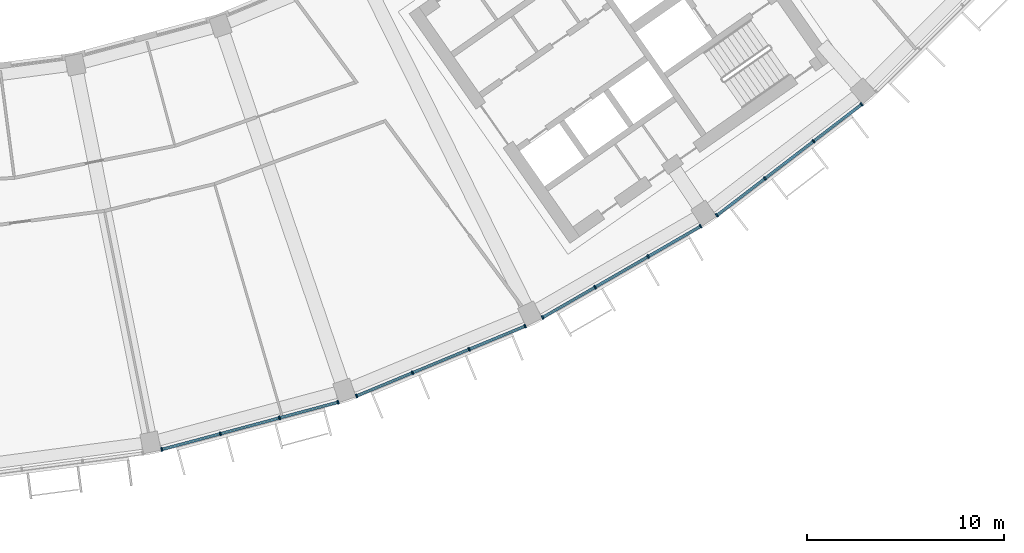
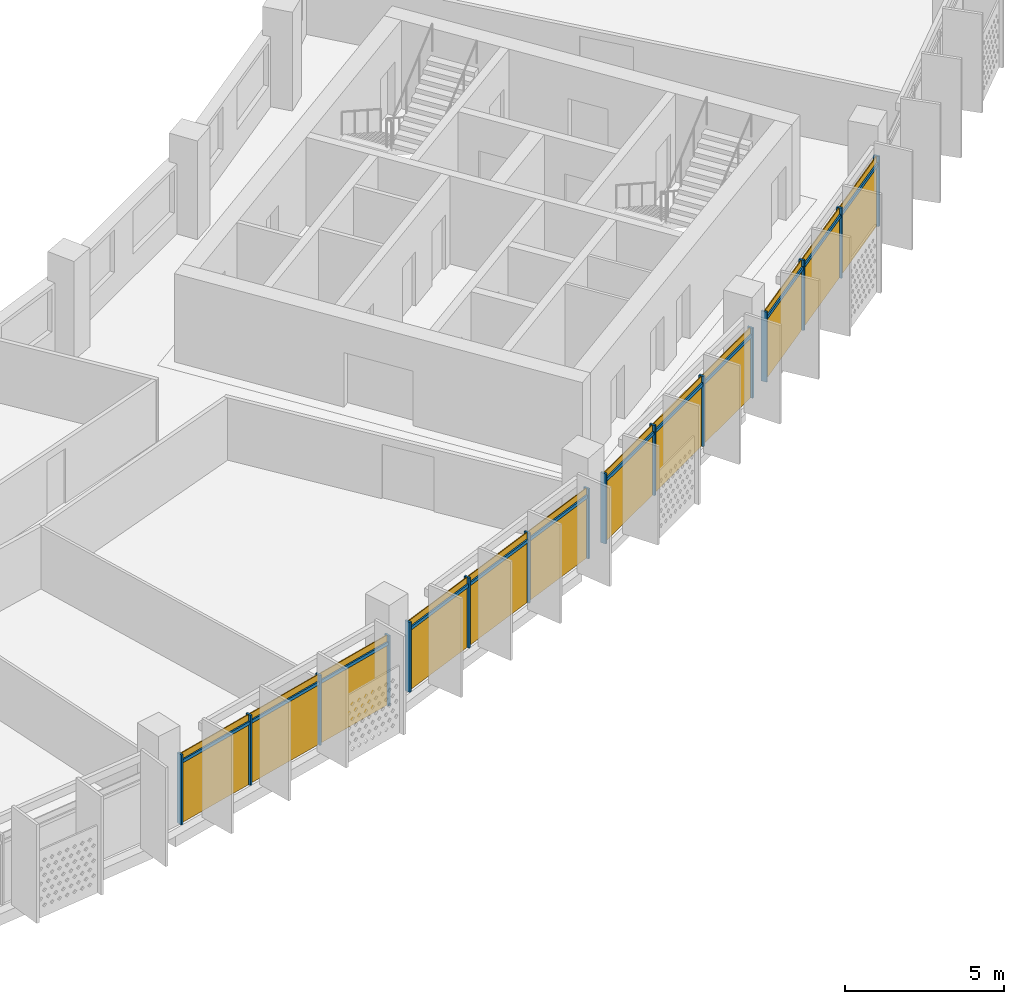
# One storey, part 20 of 27: 28 members, 4 curtain walls.
"""IFC4 building model written with IfcOpenShell, lengths in metres."""

import ifcopenshell
import ifcopenshell.guid

model = None  # the IFC model being written
_history = None  # IfcOwnerHistory: only IFC2X3 demands one
_inside = {}  # id of a spatial element -> (the spatial element, [elements in it])
_under = {}  # id of a project, library or spatial element -> (it, [spatial elements below it])
_declared = {}  # id of a project -> (the project, [libraries it declares])
_typed = {}  # id of a type object -> (the type object, [elements of that type])
_made_of = {}  # id of a material, layer set ... -> (it, [elements and type objects made of it])


def new_model(schema):
    """Start an empty IFC model of exactly this schema.

    Asked for "IFC4X3", IfcOpenShell would pick the latest addendum, in which some entities
    have other attributes; the version numbers below select the first issue.
    IFC2X3 requires an IfcOwnerHistory on every rooted entity: one is made here for all.
    """
    global model, _history
    if schema == "IFC4X3":
        model = ifcopenshell.file(schema_version=(4, 3, 0, 0))
    else:
        model = ifcopenshell.file(schema=schema)
    _inside.clear()
    _under.clear()
    _declared.clear()
    _typed.clear()
    _made_of.clear()
    _history = None
    if model.schema == "IFC2X3":
        org = make("IfcOrganization", Name="unknown")
        user = make(
            "IfcPersonAndOrganization",
            ThePerson=make("IfcPerson", FamilyName="unknown"),
            TheOrganization=org,
        )
        app = make(
            "IfcApplication",
            ApplicationDeveloper=org,
            Version="unknown",
            ApplicationFullName="unknown",
            ApplicationIdentifier="unknown",
        )
        _history = make(
            "IfcOwnerHistory",
            OwningUser=user,
            OwningApplication=app,
            ChangeAction="ADDED",
            CreationDate=0,
        )
    return model


def make(cls, **values):
    """One entity of the class cls with the attributes given. An attribute that is None is left unset."""
    return model.create_entity(
        cls, **{name: value for name, value in values.items() if value is not None}
    )


def rooted(cls, **values):
    """An entity with a GlobalId (a new one), such as an element, a storey or a relation."""
    return make(cls, GlobalId=ifcopenshell.guid.new(), OwnerHistory=_history, **values)


def si_unit(unit_type, name, prefix=None):
    """IfcSIUnit, for example si_unit("LENGTHUNIT", "METRE", prefix="MILLI")."""
    return make("IfcSIUnit", UnitType=unit_type, Prefix=prefix, Name=name)


def assignment(units):
    """IfcUnitAssignment: the units of a project."""
    return None if units is None else make("IfcUnitAssignment", Units=units)


def point(xyz):
    """IfcCartesianPoint."""
    return None if xyz is None else make("IfcCartesianPoint", Coordinates=xyz)


def direction(xyz):
    """IfcDirection."""
    return None if xyz is None else make("IfcDirection", DirectionRatios=xyz)


def frame(location, z_axis=None, x_axis=None):
    """IfcAxis2Placement3D, a coordinate frame: its origin and axes. An axis left out is left unset."""
    return make(
        "IfcAxis2Placement3D",
        Location=point(location),
        Axis=direction(z_axis),
        RefDirection=direction(x_axis),
    )


def frame_2d(location, x_axis=None):
    """IfcAxis2Placement2D, a coordinate frame in the plane: its origin and x axis."""
    return make(
        "IfcAxis2Placement2D", Location=point(location), RefDirection=direction(x_axis)
    )


def origin():
    """The frame at (0, 0, 0) with its axes left unset."""
    return frame((0.0, 0.0, 0.0))


def origin_2d():
    """The frame at (0, 0) in the plane with its x axis left unset."""
    return frame_2d((0.0, 0.0))


def place(relative_to, where):
    """IfcLocalPlacement: puts the frame where relative to a parent placement (None: the world)."""
    return make(
        "IfcLocalPlacement", PlacementRelTo=relative_to, RelativePlacement=where
    )


def context(
    kind, dimensions, precision=None, world=None, true_north=None, identifier=None
):
    """IfcGeometricRepresentationContext, for example the 3D "Model" context."""
    return make(
        "IfcGeometricRepresentationContext",
        ContextIdentifier=identifier,
        ContextType=kind,
        CoordinateSpaceDimension=dimensions,
        Precision=precision,
        WorldCoordinateSystem=world,
        TrueNorth=true_north,
    )


def subcontext(parent, identifier, kind, view, scale=None):
    """IfcGeometricRepresentationSubContext, for example "Body" below "Model"."""
    return make(
        "IfcGeometricRepresentationSubContext",
        ContextIdentifier=identifier,
        ContextType=kind,
        ParentContext=parent,
        TargetScale=scale,
        TargetView=view,
    )


def project(units=None, contexts=None):
    """IfcProject with its units and contexts."""
    return rooted(
        "IfcProject",
        Name="project",
        RepresentationContexts=contexts,
        UnitsInContext=assignment(units),
    )


def spatial(cls, under=None, at=None, **own):
    """A site, building, storey or space (cls), placed at a placement, below another one or the project."""
    s = rooted(cls, ObjectPlacement=at, **own)
    if under is not None:
        _under.setdefault(under.id(), (under, []))[1].append(s)
    return s


def profile(cls, at=None, kind="AREA", **sizes):
    """A parametric profile (cls). Its sizes go by their IFC names, for example OverallWidth=200.0."""
    return make(cls, ProfileType=kind, Position=at, **sizes)


def rectangle(**sizes):
    """IfcRectangleProfileDef."""
    return profile("IfcRectangleProfileDef", **sizes)


def extrude(swept, where, along, depth):
    """IfcExtrudedAreaSolid: the profile swept, set in the frame where, extruded along a direction by depth."""
    return make(
        "IfcExtrudedAreaSolid",
        SweptArea=swept,
        Position=where,
        ExtrudedDirection=direction(along),
        Depth=depth,
    )


def shape(context_of_items, identifier, shape_type, items):
    """IfcShapeRepresentation: the items that make up one representation, for example the "Body"."""
    return make(
        "IfcShapeRepresentation",
        ContextOfItems=context_of_items,
        RepresentationIdentifier=identifier,
        RepresentationType=shape_type,
        Items=items,
    )


def material(Name=None, Category=None):
    """IfcMaterial."""
    return make("IfcMaterial", Name=Name, Category=Category)


def material_profile(
    of_material, cross_section, Name=None, Category=None, Priority=None
):
    """IfcMaterialProfile: a cross section and its material."""
    return make(
        "IfcMaterialProfile",
        Name=Name,
        Material=of_material,
        Profile=cross_section,
        Priority=Priority,
        Category=Category,
    )


def profile_set(profiles, Name=None, composite=None):
    """IfcMaterialProfileSet."""
    return make(
        "IfcMaterialProfileSet",
        Name=Name,
        MaterialProfiles=profiles,
        CompositeProfile=composite,
    )


def made_of(thing, what):
    """Note that an element or type object is made of a material, layer set ...; save() writes the relation."""
    if what is not None:
        _made_of.setdefault(what.id(), (what, []))[1].append(thing)
    return thing


def type_object(cls, material=None, **own):
    """A type object (cls), such as IfcWallType, which elements share."""
    return made_of(rooted(cls, **own), material)


def element(
    cls,
    number,
    at=None,
    inside=None,
    cuts=None,
    type_object=None,
    material=None,
    context=None,
    identifier="Body",
    shape_type=None,
    held_by="IfcProductDefinitionShape",
    body=None,
    shapes=None,
    **own,
):
    """One element of the class cls, such as IfcWall. Its Tag is "e" and its number.

    at: its placement. inside: the storey or other place that contains it. cuts: it is an
    opening in that element (IfcRelVoidsElement). A single representation is given by context,
    identifier, shape_type and body (its items); several are given by shapes. held_by: the class
    of the entity that holds the representations. save() writes the other relations.
    """
    e = rooted(cls, Tag="e%d" % number, ObjectPlacement=at, **own)
    if body is not None:
        shapes = [shape(context, identifier, shape_type, body)]
    if shapes is not None:
        e.Representation = make(held_by, Representations=shapes)
    if inside is not None:
        _inside.setdefault(inside.id(), (inside, []))[1].append(e)
    if cuts is not None:
        rooted(
            "IfcRelVoidsElement", RelatingBuildingElement=cuts, RelatedOpeningElement=e
        )
    if type_object is not None:
        _typed.setdefault(type_object.id(), (type_object, []))[1].append(e)
    return made_of(e, material)


def aggregate(whole, parts):
    """IfcRelAggregates: a whole, such as a stair, and the parts it consists of."""
    return rooted("IfcRelAggregates", RelatingObject=whole, RelatedObjects=parts)


def save(model, path):
    """Write the relations noted so far, then the file.

    IfcRelAggregates (storeys below a building ...), IfcRelContainedInSpatialStructure (elements
    in a storey), IfcRelDefinesByType, IfcRelAssociatesMaterial and IfcRelDeclares: one each for
    every whole, place, type object, material and project.
    """
    for whole, parts in _under.values():
        aggregate(whole, parts)
    for where, things in _inside.values():
        rooted(
            "IfcRelContainedInSpatialStructure",
            RelatedElements=things,
            RelatingStructure=where,
        )
    for kind, things in _typed.values():
        rooted("IfcRelDefinesByType", RelatedObjects=things, RelatingType=kind)
    for what, things in _made_of.values():
        rooted("IfcRelAssociatesMaterial", RelatedObjects=things, RelatingMaterial=what)
    for by, libraries in _declared.values():
        rooted("IfcRelDeclares", RelatingContext=by, RelatedDefinitions=libraries)
    model.write(path)


model = new_model("IFC4")

# Units and contexts
model_context = context("Model", 3, precision=1e-05, world=origin(), true_north=direction((0.0, 1.0)))
body_context = subcontext(model_context, "Body", "Model", "MODEL_VIEW")
ifc_project = project(units=[si_unit("LENGTHUNIT", "METRE"), si_unit("AREAUNIT", "SQUARE_METRE"), si_unit("VOLUMEUNIT", "CUBIC_METRE"), si_unit("PLANEANGLEUNIT", "RADIAN"), si_unit("MASSUNIT", "GRAM", prefix="KILO")], contexts=[model_context])

# Member
ifc_material = material(Name="Aluminium 6063-T6 anodised", Category="aluminium")
ifc_material_profile_1 = material_profile(ifc_material, rectangle(XDim=0.199951171875, YDim=0.070068359375, at=origin_2d()))
ifc_profile_set_1 = profile_set([ifc_material_profile_1], Name="Aluminium 6063-T6 anodised")
member_type_1 = type_object("IfcMemberType", Name="Mullion 70 x 200 aluminium", PredefinedType="MULLION", material=ifc_profile_set_1)
site_placement = place(None, origin())
building_placement = place(site_placement, origin())
storey_placement = place(building_placement, frame((0.0, 0.0, 280.89990234375)))
member_1_placement = place(storey_placement, frame((15.742431640625, -76.618408203125, 0.0), z_axis=(0.0, 0.0, 1.0), x_axis=(-0.258819045103, 0.965925826289, 0.0)))
member_1 = element("IfcMember", 1, at=member_1_placement, type_object=member_type_1, Name="e-cw1-L68-out09/M00", PredefinedType="MULLION", context=body_context, shape_type="SweptSolid", body=[
    extrude(rectangle(XDim=0.199951171875, YDim=0.070068359375, at=origin_2d()), origin(), (0.0, 0.0, 1.0), 2.7001953125),
])

member_2_placement = place(storey_placement, frame((18.708984375, -75.82373046875, 0.0), z_axis=(0.0, 0.0, 1.0), x_axis=(-0.258819045103, 0.965925826289, 0.0)))
member_2 = element("IfcMember", 2, at=member_2_placement, type_object=member_type_1, Name="e-cw1-L68-out09/M01", PredefinedType="MULLION", context=body_context, shape_type="SweptSolid", body=[
    extrude(rectangle(XDim=0.199951171875, YDim=0.070068359375, at=origin_2d()), origin(), (0.0, 0.0, 1.0), 2.7001953125),
])

member_3_placement = place(storey_placement, frame((21.70947265625, -75.019775390625, 0.0), z_axis=(0.0, 0.0, 1.0), x_axis=(-0.258819045103, 0.965925826289, 0.0)))
member_3 = element("IfcMember", 3, at=member_3_placement, type_object=member_type_1, Name="e-cw1-L68-out09/M02", PredefinedType="MULLION", context=body_context, shape_type="SweptSolid", body=[
    extrude(rectangle(XDim=0.199951171875, YDim=0.070068359375, at=origin_2d()), origin(), (0.0, 0.0, 1.0), 2.7001953125),
])

member_4_placement = place(storey_placement, frame((24.676025390625, -74.224853515625, 0.0), z_axis=(0.0, 0.0, 1.0), x_axis=(-0.258819045103, 0.965925826289, 0.0)))
member_4 = element("IfcMember", 4, at=member_4_placement, type_object=member_type_1, Name="e-cw1-L68-out09/M03", PredefinedType="MULLION", context=body_context, shape_type="SweptSolid", body=[
    extrude(rectangle(XDim=0.199951171875, YDim=0.070068359375, at=origin_2d()), origin(), (0.0, 0.0, 1.0), 2.7001953125),
])

member_5_placement = place(storey_placement, frame((25.6083984375, -73.908203125, 0.0), z_axis=(0.0, 0.0, 1.0), x_axis=(-0.382683432365, 0.923879532511, 0.0)))
member_5 = element("IfcMember", 5, at=member_5_placement, type_object=member_type_1, Name="e-cw1-L68-out10/M00", PredefinedType="MULLION", context=body_context, shape_type="SweptSolid", body=[
    extrude(rectangle(XDim=0.199951171875, YDim=0.070068359375, at=origin_2d()), origin(), (0.0, 0.0, 1.0), 2.7001953125),
])

member_6_placement = place(storey_placement, frame((28.44580078125, -72.73291015625, 0.0), z_axis=(0.0, 0.0, 1.0), x_axis=(-0.382683432365, 0.923879532511, 0.0)))
member_6 = element("IfcMember", 6, at=member_6_placement, type_object=member_type_1, Name="e-cw1-L68-out10/M01", PredefinedType="MULLION", context=body_context, shape_type="SweptSolid", body=[
    extrude(rectangle(XDim=0.199951171875, YDim=0.070068359375, at=origin_2d()), origin(), (0.0, 0.0, 1.0), 2.7001953125),
])

member_7_placement = place(storey_placement, frame((31.315673828125, -71.544189453125, 0.0), z_axis=(0.0, 0.0, 1.0), x_axis=(-0.382683432365, 0.923879532511, 0.0)))
member_7 = element("IfcMember", 7, at=member_7_placement, type_object=member_type_1, Name="e-cw1-L68-out10/M02", PredefinedType="MULLION", context=body_context, shape_type="SweptSolid", body=[
    extrude(rectangle(XDim=0.199951171875, YDim=0.070068359375, at=origin_2d()), origin(), (0.0, 0.0, 1.0), 2.7001953125),
])

member_8_placement = place(storey_placement, frame((34.153076171875, -70.368896484375, 0.0), z_axis=(0.0, 0.0, 1.0), x_axis=(-0.382683432365, 0.923879532511, 0.0)))
member_8 = element("IfcMember", 8, at=member_8_placement, type_object=member_type_1, Name="e-cw1-L68-out10/M03", PredefinedType="MULLION", context=body_context, shape_type="SweptSolid", body=[
    extrude(rectangle(XDim=0.199951171875, YDim=0.070068359375, at=origin_2d()), origin(), (0.0, 0.0, 1.0), 2.7001953125),
])

member_9_placement = place(storey_placement, frame((35.036376953125, -69.933349609375, 0.0), z_axis=(0.0, 0.0, 1.0), x_axis=(-0.5, 0.866025403784, 0.0)))
member_9 = element("IfcMember", 9, at=member_9_placement, type_object=member_type_1, Name="e-cw1-L68-out11/M00", PredefinedType="MULLION", context=body_context, shape_type="SweptSolid", body=[
    extrude(rectangle(XDim=0.199951171875, YDim=0.070068359375, at=origin_2d()), origin(), (0.0, 0.0, 1.0), 2.7001953125),
])

member_10_placement = place(storey_placement, frame((37.696044921875, -68.397705078125, 0.0), z_axis=(0.0, 0.0, 1.0), x_axis=(-0.5, 0.866025403784, 0.0)))
member_10 = element("IfcMember", 10, at=member_10_placement, type_object=member_type_1, Name="e-cw1-L68-out11/M01", PredefinedType="MULLION", context=body_context, shape_type="SweptSolid", body=[
    extrude(rectangle(XDim=0.199951171875, YDim=0.070068359375, at=origin_2d()), origin(), (0.0, 0.0, 1.0), 2.7001953125),
])

member_11_placement = place(storey_placement, frame((40.38623046875, -66.8447265625, 0.0), z_axis=(0.0, 0.0, 1.0), x_axis=(-0.5, 0.866025403784, 0.0)))
member_11 = element("IfcMember", 11, at=member_11_placement, type_object=member_type_1, Name="e-cw1-L68-out11/M02", PredefinedType="MULLION", context=body_context, shape_type="SweptSolid", body=[
    extrude(rectangle(XDim=0.199951171875, YDim=0.070068359375, at=origin_2d()), origin(), (0.0, 0.0, 1.0), 2.7001953125),
])

member_12_placement = place(storey_placement, frame((43.0458984375, -65.30908203125, 0.0), z_axis=(0.0, 0.0, 1.0), x_axis=(-0.5, 0.866025403784, 0.0)))
member_12 = element("IfcMember", 12, at=member_12_placement, type_object=member_type_1, Name="e-cw1-L68-out11/M03", PredefinedType="MULLION", context=body_context, shape_type="SweptSolid", body=[
    extrude(rectangle(XDim=0.199951171875, YDim=0.070068359375, at=origin_2d()), origin(), (0.0, 0.0, 1.0), 2.7001953125),
])

member_13_placement = place(storey_placement, frame((43.86474609375, -64.761962890625, 0.0), z_axis=(0.0, 0.0, 1.0), x_axis=(-0.608761429009, 0.793353340291, 0.0)))
member_13 = element("IfcMember", 13, at=member_13_placement, type_object=member_type_1, Name="e-cw1-L68-out12/M00", PredefinedType="MULLION", context=body_context, shape_type="SweptSolid", body=[
    extrude(rectangle(XDim=0.199951171875, YDim=0.070068359375, at=origin_2d()), origin(), (0.0, 0.0, 1.0), 2.7001953125),
])

member_14_placement = place(storey_placement, frame((46.30126953125, -62.892333984375, 0.0), z_axis=(0.0, 0.0, 1.0), x_axis=(-0.608761429009, 0.793353340291, 0.0)))
member_14 = element("IfcMember", 14, at=member_14_placement, type_object=member_type_1, Name="e-cw1-L68-out12/M01", PredefinedType="MULLION", context=body_context, shape_type="SweptSolid", body=[
    extrude(rectangle(XDim=0.199951171875, YDim=0.070068359375, at=origin_2d()), origin(), (0.0, 0.0, 1.0), 2.7001953125),
])

member_15_placement = place(storey_placement, frame((48.765625, -61.001220703125, 0.0), z_axis=(0.0, 0.0, 1.0), x_axis=(-0.608761429009, 0.793353340291, 0.0)))
member_15 = element("IfcMember", 15, at=member_15_placement, type_object=member_type_1, Name="e-cw1-L68-out12/M02", PredefinedType="MULLION", context=body_context, shape_type="SweptSolid", body=[
    extrude(rectangle(XDim=0.199951171875, YDim=0.070068359375, at=origin_2d()), origin(), (0.0, 0.0, 1.0), 2.7001953125),
])

member_16_placement = place(storey_placement, frame((51.2021484375, -59.131591796875, 0.0), z_axis=(0.0, 0.0, 1.0), x_axis=(-0.608761429009, 0.793353340291, 0.0)))
member_16 = element("IfcMember", 16, at=member_16_placement, type_object=member_type_1, Name="e-cw1-L68-out12/M03", PredefinedType="MULLION", context=body_context, shape_type="SweptSolid", body=[
    extrude(rectangle(XDim=0.199951171875, YDim=0.070068359375, at=origin_2d()), origin(), (0.0, 0.0, 1.0), 2.7001953125),
])

ifc_material_profile_2 = material_profile(ifc_material, rectangle(XDim=0.139892578125, YDim=0.1201171875, at=origin_2d()))
ifc_profile_set_2 = profile_set([ifc_material_profile_2], Name="Aluminium 6063-T6 anodised")
member_type_2 = type_object("IfcMemberType", Name="Transom 120 x 140 aluminium", PredefinedType="USERDEFINED", material=ifc_profile_set_2)
member_17_placement = place(storey_placement, frame((15.776123046875, -76.609375, 2.400146484375), z_axis=(0.965944058071, 0.258750993577, 0.0), x_axis=(-0.258750993577, 0.965944058071, 0.0)))
member_17 = element("IfcMember", 17, at=member_17_placement, type_object=member_type_2, Name="e-cw1-L68-out09/T00", ObjectType="TRANSOM", PredefinedType="USERDEFINED", context=body_context, shape_type="SweptSolid", body=[
    extrude(rectangle(XDim=0.139892578125, YDim=0.1201171875, at=origin_2d()), origin(), (0.0, 0.0, 1.0), 3.00146484375),
])

member_18_placement = place(storey_placement, frame((18.74267578125, -75.814453125, 2.400146484375), z_axis=(0.965943386189, 0.258753501769, 0.0), x_axis=(-0.258753501769, 0.965943386189, 0.0)))
member_18 = element("IfcMember", 18, at=member_18_placement, type_object=member_type_2, Name="e-cw1-L68-out09/T01", ObjectType="TRANSOM", PredefinedType="USERDEFINED", context=body_context, shape_type="SweptSolid", body=[
    extrude(rectangle(XDim=0.139892578125, YDim=0.1201171875, at=origin_2d()), origin(), (0.0, 0.0, 1.0), 3.036376953125),
])

member_19_placement = place(storey_placement, frame((21.7431640625, -75.0107421875, 2.400146484375), z_axis=(0.965918275034, 0.258847225127, 0.0), x_axis=(-0.258847225127, 0.965918275034, 0.0)))
member_19 = element("IfcMember", 19, at=member_19_placement, type_object=member_type_2, Name="e-cw1-L68-out09/T02", ObjectType="TRANSOM", PredefinedType="USERDEFINED", context=body_context, shape_type="SweptSolid", body=[
    extrude(rectangle(XDim=0.139892578125, YDim=0.1201171875, at=origin_2d()), origin(), (0.0, 0.0, 1.0), 3.001220703125),
])

member_20_placement = place(storey_placement, frame((25.640869140625, -73.894775390625, 2.400146484375), z_axis=(0.923885958475, 0.382667918347, 0.0), x_axis=(-0.382667918347, 0.923885958475, 0.0)))
member_20 = element("IfcMember", 20, at=member_20_placement, type_object=member_type_2, Name="e-cw1-L68-out10/T00", ObjectType="TRANSOM", PredefinedType="USERDEFINED", context=body_context, shape_type="SweptSolid", body=[
    extrude(rectangle(XDim=0.139892578125, YDim=0.1201171875, at=origin_2d()), origin(), (0.0, 0.0, 1.0), 3.001220703125),
])

member_21_placement = place(storey_placement, frame((28.478271484375, -72.719482421875, 2.400146484375), z_axis=(0.923888454036, 0.38266189319, 0.0), x_axis=(-0.38266189319, 0.923888454036, 0.0)))
member_21 = element("IfcMember", 21, at=member_21_placement, type_object=member_type_2, Name="e-cw1-L68-out10/T01", ObjectType="TRANSOM", PredefinedType="USERDEFINED", context=body_context, shape_type="SweptSolid", body=[
    extrude(rectangle(XDim=0.139892578125, YDim=0.1201171875, at=origin_2d()), origin(), (0.0, 0.0, 1.0), 3.036376953125),
])

member_22_placement = place(storey_placement, frame((31.347900390625, -71.53076171875, 2.400146484375), z_axis=(0.923897869521, 0.382639159907, 0.0), x_axis=(-0.382639159907, 0.923897869521, 0.0)))
member_22 = element("IfcMember", 22, at=member_22_placement, type_object=member_type_2, Name="e-cw1-L68-out10/T02", ObjectType="TRANSOM", PredefinedType="USERDEFINED", context=body_context, shape_type="SweptSolid", body=[
    extrude(rectangle(XDim=0.139892578125, YDim=0.1201171875, at=origin_2d()), origin(), (0.0, 0.0, 1.0), 3.00146484375),
])

member_23_placement = place(storey_placement, frame((35.066650390625, -69.915771484375, 2.400146484375), z_axis=(0.866041993159, 0.49997126526, 0.0), x_axis=(-0.49997126526, 0.866041993159, 0.0)))
member_23 = element("IfcMember", 23, at=member_23_placement, type_object=member_type_2, Name="e-cw1-L68-out11/T00", ObjectType="TRANSOM", PredefinedType="USERDEFINED", context=body_context, shape_type="SweptSolid", body=[
    extrude(rectangle(XDim=0.139892578125, YDim=0.1201171875, at=origin_2d()), origin(), (0.0, 0.0, 1.0), 3.001220703125),
])

member_24_placement = place(storey_placement, frame((37.726318359375, -68.38037109375, 2.400146484375), z_axis=(0.866012861315, 0.500021723565, 0.0), x_axis=(-0.500021723565, 0.866012861315, 0.0)))
member_24 = element("IfcMember", 24, at=member_24_placement, type_object=member_type_2, Name="e-cw1-L68-out11/T01", ObjectType="TRANSOM", PredefinedType="USERDEFINED", context=body_context, shape_type="SweptSolid", body=[
    extrude(rectangle(XDim=0.139892578125, YDim=0.1201171875, at=origin_2d()), origin(), (0.0, 0.0, 1.0), 3.036376953125),
])

member_25_placement = place(storey_placement, frame((40.41650390625, -66.8271484375, 2.400146484375), z_axis=(0.866041993159, 0.49997126526, 0.0), x_axis=(-0.49997126526, 0.866041993159, 0.0)))
member_25 = element("IfcMember", 25, at=member_25_placement, type_object=member_type_2, Name="e-cw1-L68-out11/T02", ObjectType="TRANSOM", PredefinedType="USERDEFINED", context=body_context, shape_type="SweptSolid", body=[
    extrude(rectangle(XDim=0.139892578125, YDim=0.1201171875, at=origin_2d()), origin(), (0.0, 0.0, 1.0), 3.001220703125),
])

member_26_placement = place(storey_placement, frame((43.892578125, -64.74072265625, 2.400146484375), z_axis=(0.793312980955, 0.60881402271, 0.0), x_axis=(-0.60881402271, 0.793312980955, 0.0)))
member_26 = element("IfcMember", 26, at=member_26_placement, type_object=member_type_2, Name="e-cw1-L68-out12/T00", ObjectType="TRANSOM", PredefinedType="USERDEFINED", context=body_context, shape_type="SweptSolid", body=[
    extrude(rectangle(XDim=0.139892578125, YDim=0.1201171875, at=origin_2d()), origin(), (0.0, 0.0, 1.0), 3.001220703125),
])

member_27_placement = place(storey_placement, frame((46.3291015625, -62.87109375, 2.400146484375), z_axis=(0.79333190513, 0.608789362836, 0.0), x_axis=(-0.608789362836, 0.79333190513, 0.0)))
member_27 = element("IfcMember", 27, at=member_27_placement, type_object=member_type_2, Name="e-cw1-L68-out12/T01", ObjectType="TRANSOM", PredefinedType="USERDEFINED", context=body_context, shape_type="SweptSolid", body=[
    extrude(rectangle(XDim=0.139892578125, YDim=0.1201171875, at=origin_2d()), origin(), (0.0, 0.0, 1.0), 3.0361328125),
])

member_28_placement = place(storey_placement, frame((48.79345703125, -60.97998046875, 2.400146484375), z_axis=(0.793352271072, 0.60876282244, 0.0), x_axis=(-0.60876282244, 0.793352271072, 0.0)))
member_28 = element("IfcMember", 28, at=member_28_placement, type_object=member_type_2, Name="e-cw1-L68-out12/T02", ObjectType="TRANSOM", PredefinedType="USERDEFINED", context=body_context, shape_type="SweptSolid", body=[
    extrude(rectangle(XDim=0.139892578125, YDim=0.1201171875, at=origin_2d()), origin(), (0.0, 0.0, 1.0), 3.0009765625),
])

# Site, building, storey
site = spatial("IfcSite", under=ifc_project, at=site_placement, CompositionType="ELEMENT")
building = spatial("IfcBuilding", under=site, at=building_placement, Name="Qamariyya Broadcast Tower", CompositionType="ELEMENT")
storey = spatial("IfcBuildingStorey", under=building, at=storey_placement, Name="L68", CompositionType="ELEMENT", Elevation=280.89990234375)

# Curtain wall
curtain_wall_type = type_object("IfcCurtainWallType", Name="Unitised curtain wall, anodised aluminium", PredefinedType="NOTDEFINED", material=ifc_material)
curtain_wall_1_placement = place(storey_placement, origin())
curtain_wall_1 = element("IfcCurtainWall", 29, at=curtain_wall_1_placement, inside=storey, type_object=curtain_wall_type, Name="e-cw1-L68-out09", PredefinedType="NOTDEFINED", context=body_context, shape_type="SweptSolid", body=[
    extrude(rectangle(XDim=3.001220703125, YDim=0.031982421875, at=origin_2d()), frame((17.2255859375, -76.22119140625, 0.0), x_axis=(0.965925949265, 0.258818586151, 0.0)), (0.0, 0.0, 1.0), 2.340087890625),
    extrude(rectangle(XDim=3.001220703125, YDim=0.031982421875, at=origin_2d()), frame((17.2255859375, -76.22119140625, 2.460205078125), x_axis=(0.965925949265, 0.258818586151, 0.0)), (0.0, 0.0, 1.0), 0.239990234375),
    extrude(rectangle(XDim=3.0361328125, YDim=0.031982421875, at=origin_2d()), frame((20.208984375, -75.421875, 0.0), x_axis=(0.965925949265, 0.258818586151, 0.0)), (0.0, 0.0, 1.0), 2.340087890625),
    extrude(rectangle(XDim=3.0361328125, YDim=0.031982421875, at=origin_2d()), frame((20.208984375, -75.421875, 2.460205078125), x_axis=(0.965925949265, 0.258818586151, 0.0)), (0.0, 0.0, 1.0), 0.239990234375),
    extrude(rectangle(XDim=3.001220703125, YDim=0.031982421875, at=origin_2d()), frame((23.192626953125, -74.622314453125, 0.0), x_axis=(0.965925949265, 0.258818586151, 0.0)), (0.0, 0.0, 1.0), 2.340087890625),
    extrude(rectangle(XDim=3.001220703125, YDim=0.031982421875, at=origin_2d()), frame((23.192626953125, -74.622314453125, 2.460205078125), x_axis=(0.965925949265, 0.258818586151, 0.0)), (0.0, 0.0, 1.0), 0.239990234375),
])

aggregate(curtain_wall_1, [member_1, member_2, member_3, member_4, member_17, member_18, member_19])

curtain_wall_2_placement = place(storey_placement, origin())
curtain_wall_2 = element("IfcCurtainWall", 30, at=curtain_wall_2_placement, inside=storey, type_object=curtain_wall_type, Name="e-cw1-L68-out10", PredefinedType="NOTDEFINED", context=body_context, shape_type="SweptSolid", body=[
    extrude(rectangle(XDim=3.001220703125, YDim=0.031982421875, at=origin_2d()), frame((27.02734375, -73.320556640625, 0.0), x_axis=(0.923877930643, 0.382687299595, 0.0)), (0.0, 0.0, 1.0), 2.340087890625),
    extrude(rectangle(XDim=3.001220703125, YDim=0.031982421875, at=origin_2d()), frame((27.02734375, -73.320556640625, 2.460205078125), x_axis=(0.923877930643, 0.382687299595, 0.0)), (0.0, 0.0, 1.0), 0.239990234375),
    extrude(rectangle(XDim=3.0361328125, YDim=0.031982421875, at=origin_2d()), frame((29.880859375, -72.138671875, 0.0), x_axis=(0.923877930643, 0.382687299595, 0.0)), (0.0, 0.0, 1.0), 2.340087890625),
    extrude(rectangle(XDim=3.0361328125, YDim=0.031982421875, at=origin_2d()), frame((29.880859375, -72.138671875, 2.460205078125), x_axis=(0.923877930643, 0.382687299595, 0.0)), (0.0, 0.0, 1.0), 0.239990234375),
    extrude(rectangle(XDim=3.001220703125, YDim=0.031982421875, at=origin_2d()), frame((32.734375, -70.95654296875, 0.0), x_axis=(0.923877930643, 0.382687299595, 0.0)), (0.0, 0.0, 1.0), 2.340087890625),
    extrude(rectangle(XDim=3.001220703125, YDim=0.031982421875, at=origin_2d()), frame((32.734375, -70.95654296875, 2.460205078125), x_axis=(0.923877930643, 0.382687299595, 0.0)), (0.0, 0.0, 1.0), 0.239990234375),
])

aggregate(curtain_wall_2, [member_5, member_6, member_7, member_8, member_20, member_21, member_22])

curtain_wall_3_placement = place(storey_placement, origin())
curtain_wall_3 = element("IfcCurtainWall", 31, at=curtain_wall_3_placement, inside=storey, type_object=curtain_wall_type, Name="e-cw1-L68-out11", PredefinedType="NOTDEFINED", context=body_context, shape_type="SweptSolid", body=[
    extrude(rectangle(XDim=3.001220703125, YDim=0.031982421875, at=origin_2d()), frame((36.3662109375, -69.16552734375, 0.0), x_axis=(0.866017611601, 0.500013496215, 0.0)), (0.0, 0.0, 1.0), 2.340087890625),
    extrude(rectangle(XDim=3.001220703125, YDim=0.031982421875, at=origin_2d()), frame((36.3662109375, -69.16552734375, 2.460205078125), x_axis=(0.866017611601, 0.500013496215, 0.0)), (0.0, 0.0, 1.0), 0.239990234375),
    extrude(rectangle(XDim=3.0361328125, YDim=0.031982421875, at=origin_2d()), frame((39.041015625, -67.62109375, 0.0), x_axis=(0.866017611601, 0.500013496215, 0.0)), (0.0, 0.0, 1.0), 2.340087890625),
    extrude(rectangle(XDim=3.0361328125, YDim=0.031982421875, at=origin_2d()), frame((39.041015625, -67.62109375, 2.460205078125), x_axis=(0.866017611601, 0.500013496215, 0.0)), (0.0, 0.0, 1.0), 0.239990234375),
    extrude(rectangle(XDim=3.001220703125, YDim=0.031982421875, at=origin_2d()), frame((41.716064453125, -66.076904296875, 0.0), x_axis=(0.866017611601, 0.500013496215, 0.0)), (0.0, 0.0, 1.0), 2.340087890625),
    extrude(rectangle(XDim=3.001220703125, YDim=0.031982421875, at=origin_2d()), frame((41.716064453125, -66.076904296875, 2.460205078125), x_axis=(0.866017611601, 0.500013496215, 0.0)), (0.0, 0.0, 1.0), 0.239990234375),
])

aggregate(curtain_wall_3, [member_9, member_10, member_11, member_12, member_23, member_24, member_25])

curtain_wall_4_placement = place(storey_placement, origin())
curtain_wall_4 = element("IfcCurtainWall", 32, at=curtain_wall_4_placement, inside=storey, type_object=curtain_wall_type, Name="e-cw1-L68-out12", PredefinedType="NOTDEFINED", context=body_context, shape_type="SweptSolid", body=[
    extrude(rectangle(XDim=3.001220703125, YDim=0.031982421875, at=origin_2d()), frame((45.0830078125, -63.8271484375, 0.0), x_axis=(0.793355818396, 0.608758199466, 0.0)), (0.0, 0.0, 1.0), 2.340087890625),
    extrude(rectangle(XDim=3.001220703125, YDim=0.031982421875, at=origin_2d()), frame((45.0830078125, -63.8271484375, 2.460205078125), x_axis=(0.793355818396, 0.608758199466, 0.0)), (0.0, 0.0, 1.0), 0.239990234375),
    extrude(rectangle(XDim=3.0361328125, YDim=0.031982421875, at=origin_2d()), frame((47.533447265625, -61.94677734375, 0.0), x_axis=(0.793355818396, 0.608758199466, 0.0)), (0.0, 0.0, 1.0), 2.340087890625),
    extrude(rectangle(XDim=3.0361328125, YDim=0.031982421875, at=origin_2d()), frame((47.533447265625, -61.94677734375, 2.460205078125), x_axis=(0.793355818396, 0.608758199466, 0.0)), (0.0, 0.0, 1.0), 0.239990234375),
    extrude(rectangle(XDim=3.001220703125, YDim=0.031982421875, at=origin_2d()), frame((49.98388671875, -60.06640625, 0.0), x_axis=(0.793355818396, 0.608758199466, 0.0)), (0.0, 0.0, 1.0), 2.340087890625),
    extrude(rectangle(XDim=3.001220703125, YDim=0.031982421875, at=origin_2d()), frame((49.98388671875, -60.06640625, 2.460205078125), x_axis=(0.793355818396, 0.608758199466, 0.0)), (0.0, 0.0, 1.0), 0.239990234375),
])

aggregate(curtain_wall_4, [member_13, member_14, member_15, member_16, member_26, member_27, member_28])

save(model, "model.ifc")
